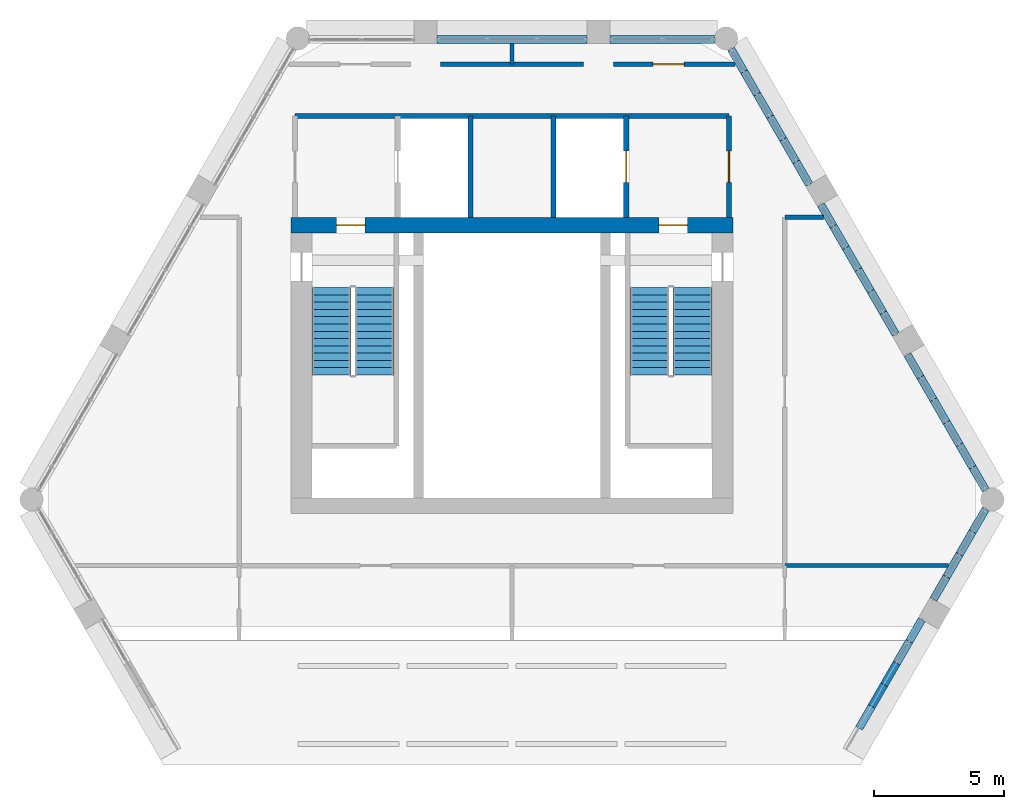
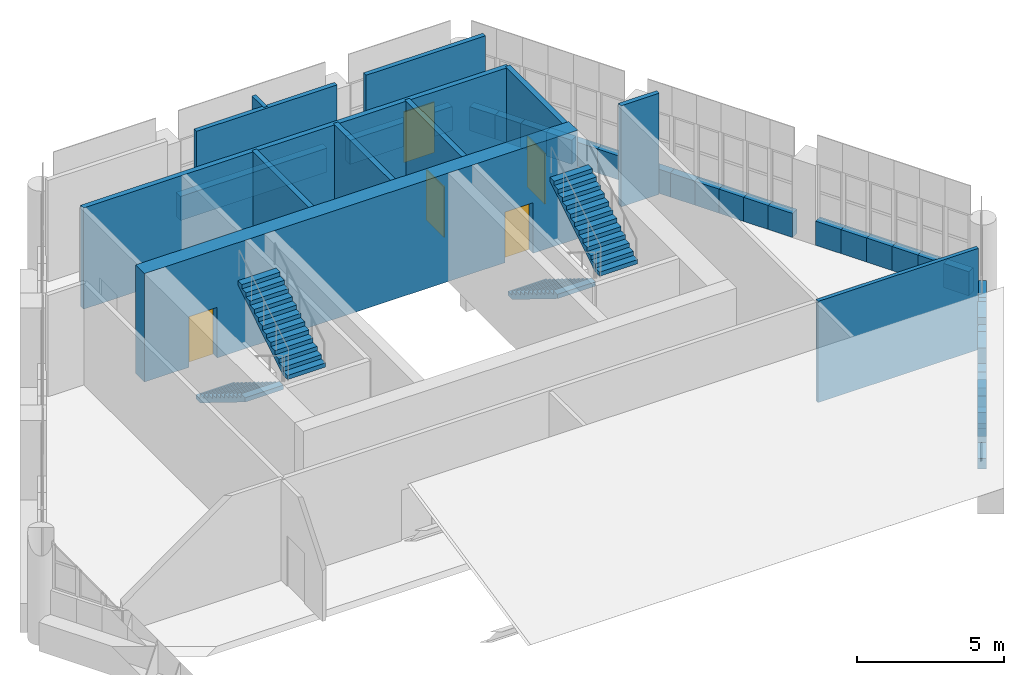
# One storey, part 19 of 23: 43 walls, 5 doors, 4 stair flights, 5 openings, 2 elements without a shape of their own.
"""IFC4 building model written with IfcOpenShell, lengths in metres."""

from ifc_helpers import new_model, si_unit, direction, frame, frame_2d, origin, place, context, subcontext, project, spatial, polyline, rectangle, outline, extrude, material, layer, layer_set, type_object, element, fill, aggregate, save


model = new_model("IFC4")

# Units and contexts
model_context = context("Model", 3, precision=1e-05, world=origin(), true_north=direction((0.0, 1.0)))
body_context = subcontext(model_context, "Body", "Model", "MODEL_VIEW")
ifc_project = project(units=[si_unit("LENGTHUNIT", "METRE"), si_unit("AREAUNIT", "SQUARE_METRE"), si_unit("VOLUMEUNIT", "CUBIC_METRE"), si_unit("PLANEANGLEUNIT", "RADIAN"), si_unit("MASSUNIT", "GRAM", prefix="KILO")], contexts=[model_context])

# Site, building, storey
site_placement = place(None, origin())
site = spatial("IfcSite", under=ifc_project, at=site_placement, CompositionType="ELEMENT")
building_placement = place(site_placement, origin())
building = spatial("IfcBuilding", under=site, at=building_placement, Name="Ostrander Bayou Hotel Tower", CompositionType="ELEMENT")
storey_placement = place(building_placement, frame((0.0, 0.0, 279.5)))
storey = spatial("IfcBuildingStorey", under=building, at=storey_placement, Name="L69", CompositionType="ELEMENT", Elevation=279.5)

# Wall, openings, doors
ifc_material_1 = material(Name="Concrete f'c 60 MPa", Category="concrete")
ifc_layer_1 = layer(ifc_material_1, 0.60009765625)
ifc_layer_set_1 = layer_set([ifc_layer_1], Name="CW10 core wall 600 mm f'c 60 MPa")
wall_type_1 = type_object("IfcWallType", Name="CW10 core wall 600 mm f'c 60 MPa", PredefinedType="SHEAR", material=ifc_layer_set_1)
wall_1_placement = place(storey_placement, frame((-8.5, 9.39990234375, -0.300048828125), z_axis=(0.0, 0.0, 1.0), x_axis=(1.0, 0.0, 0.0)))
wall_1 = element("IfcWall", 1, at=wall_1_placement, inside=storey, type_object=wall_type_1, Name="CW10 L69 N", PredefinedType="SHEAR", context=body_context, shape_type="SweptSolid", body=[
    extrude(rectangle(XDim=17.0, YDim=0.60009765625, at=frame_2d((8.5, 0.0))), origin(), (0.0, 0.0, 1.0), 4.5),
])
opening_1_placement = place(wall_1_placement, frame((1.75, 0.0, 0.0)))
opening_1 = element("IfcOpeningElement", 2, at=opening_1_placement, cuts=wall_1, Name="Opening T69-001", PredefinedType="OPENING", context=body_context, shape_type="SweptSolid", body=[
    extrude(rectangle(XDim=1.10009765625, YDim=2.10009765625, at=frame_2d((0.550048828125, 1.050048828125))), frame((0.0, 0.300048828125, 0.0), z_axis=(0.0, -1.0, 0.0), x_axis=(1.0, 0.0, 0.0)), (0.0, 0.0, 1.0), 0.60009765625),
])
opening_2_placement = place(wall_1_placement, frame((14.14990234375, 0.0, 0.0)))
opening_2 = element("IfcOpeningElement", 3, at=opening_2_placement, cuts=wall_1, Name="Opening T69-003", PredefinedType="OPENING", context=body_context, shape_type="SweptSolid", body=[
    extrude(rectangle(XDim=1.10009765625, YDim=2.10009765625, at=frame_2d((0.550048828125, 1.050048828125))), frame((0.0, 0.300048828125, 0.0), z_axis=(0.0, -1.0, 0.0), x_axis=(1.0, 0.0, 0.0)), (0.0, 0.0, 1.0), 0.60009765625),
])
ifc_material_2 = material(Name="Timber door leaf", Category="wood")
door_type_1 = type_object("IfcDoorType", Name="D5 stair door 1100 x 2100 mm, 90 minute", OperationType="SINGLE_SWING_LEFT", PredefinedType="DOOR", material=ifc_material_2)
door_1_placement = place(opening_1_placement, origin())
door_1 = element("IfcDoor", 4, at=door_1_placement, inside=storey, type_object=door_type_1, Name="dr:L69:001", OperationType="SINGLE_SWING_LEFT", OverallHeight=2.10009765625, OverallWidth=1.10009765625, PredefinedType="DOOR", context=body_context, shape_type="SweptSolid", body=[
    extrude(rectangle(XDim=1.10009765625, YDim=2.10009765625, at=frame_2d((0.550048828125, 1.050048828125))), frame((0.0, 0.02490234375, 0.0), z_axis=(0.0, -1.0, 0.0), x_axis=(1.0, 0.0, 0.0)), (0.0, 0.0, 1.0), 0.050048828125),
])
fill(opening_1, door_1)
door_2_placement = place(opening_2_placement, origin())
door_2 = element("IfcDoor", 5, at=door_2_placement, inside=storey, type_object=door_type_1, Name="dr:L69:003", OperationType="SINGLE_SWING_RIGHT", OverallHeight=2.10009765625, OverallWidth=1.10009765625, PredefinedType="DOOR", context=body_context, shape_type="SweptSolid", body=[
    extrude(rectangle(XDim=1.10009765625, YDim=2.10009765625, at=frame_2d((0.550048828125, 1.050048828125))), frame((0.0, 0.02490234375, 0.0), z_axis=(0.0, -1.0, 0.0), x_axis=(1.0, 0.0, 0.0)), (0.0, 0.0, 1.0), 0.050048828125),
])
fill(opening_2, door_2)

# Walls
ifc_material_3 = material(Name="Reconstituted stone on masonry backing", Category="masonry")
ifc_layer_2 = layer(ifc_material_3, 0.300048828125)
ifc_layer_set_2 = layer_set([ifc_layer_2], Name="NW1 north stone wall 300 mm")
wall_type_2 = type_object("IfcWallType", Name="NW1 north stone wall 300 mm", PredefinedType="SOLIDWALL", material=ifc_layer_set_2)
wall_2_placement = place(storey_placement, frame((7.7958984375, 16.550048828125, 0.0), z_axis=(0.0, 0.0, 1.0), x_axis=(-1.0, 0.0, 0.0)))
element("IfcWall", 6, at=wall_2_placement, inside=storey, type_object=wall_type_2, Name="NW1 L69 N-1 sill", PredefinedType="SOLIDWALL", context=body_context, shape_type="SweptSolid", body=[
    extrude(rectangle(XDim=4.0166015625, YDim=0.300048828125, at=frame_2d((2.00830078125, 0.0))), origin(), (0.0, 0.0, 1.0), 1.0),
])
wall_3_placement = place(storey_placement, frame((2.87939453125, 16.550048828125, 0.0), z_axis=(0.0, 0.0, 1.0), x_axis=(-1.0, 0.0, 0.0)))
element("IfcWall", 7, at=wall_3_placement, inside=storey, type_object=wall_type_2, Name="NW1 L69 N-2 sill", PredefinedType="SOLIDWALL", context=body_context, shape_type="SweptSolid", body=[
    extrude(rectangle(XDim=5.7587890625, YDim=0.300048828125, at=frame_2d((2.87939453125, 0.0))), origin(), (0.0, 0.0, 1.0), 1.0),
])
wall_4_placement = place(storey_placement, frame((13.3603515625, -9.958984375, 0.0), z_axis=(0.0, 0.0, 1.0), x_axis=(0.500058339205, 0.865991719008, 0.0)))
element("IfcWall", 8, at=wall_4_placement, inside=storey, type_object=wall_type_2, Name="NW1 L69 SE-2-2 sill", PredefinedType="SOLIDWALL", context=body_context, shape_type="SweptSolid", body=[
    extrude(rectangle(XDim=0.96484375, YDim=0.300048828125, at=frame_2d((0.482421875, 0.0))), origin(), (0.0, 0.0, 1.0), 0.425048828125),
])
wall_5_placement = place(storey_placement, frame((13.8427734375, -9.12353515625, 0.0), z_axis=(0.0, 0.0, 1.0), x_axis=(0.500058339205, 0.865991719008, 0.0)))
element("IfcWall", 9, at=wall_5_placement, inside=storey, type_object=wall_type_2, Name="NW1 L69 SE-2-3 sill", PredefinedType="SOLIDWALL", context=body_context, shape_type="SweptSolid", body=[
    extrude(rectangle(XDim=0.96484375, YDim=0.300048828125, at=frame_2d((0.482421875, 0.0))), origin(), (0.0, 0.0, 1.0), 1.0),
])
wall_6_placement = place(storey_placement, frame((13.8427734375, -9.12353515625, 1.0), z_axis=(0.0, 0.0, 1.0), x_axis=(0.500058339205, 0.865991719008, 0.0)))
element("IfcWall", 10, at=wall_6_placement, inside=storey, type_object=wall_type_2, Name="NW1 L69 SE-2-3 infill", PredefinedType="SOLIDWALL", context=body_context, shape_type="SweptSolid", body=[
    extrude(rectangle(XDim=0.96484375, YDim=0.300048828125, at=frame_2d((0.482421875, 0.0))), origin(), (0.0, 0.0, 1.0), 0.2119140625),
])
wall_7_placement = place(storey_placement, frame((14.3251953125, -8.2880859375, 0.0), z_axis=(0.0, 0.0, 1.0), x_axis=(0.499948769917, 0.866054979466, 0.0)))
element("IfcWall", 11, at=wall_7_placement, inside=storey, type_object=wall_type_2, Name="NW1 L69 SE-2-4 sill", PredefinedType="SOLIDWALL", context=body_context, shape_type="SweptSolid", body=[
    extrude(rectangle(XDim=0.96484375, YDim=0.300048828125, at=frame_2d((0.482421875, 0.0))), origin(), (0.0, 0.0, 1.0), 1.0),
])
wall_8_placement = place(storey_placement, frame((14.3251953125, -8.2880859375, 1.0), z_axis=(0.0, 0.0, 1.0), x_axis=(0.499948769917, 0.866054979466, 0.0)))
element("IfcWall", 12, at=wall_8_placement, inside=storey, type_object=wall_type_2, Name="NW1 L69 SE-2-4 infill", PredefinedType="SOLIDWALL", context=body_context, shape_type="SweptSolid", body=[
    extrude(rectangle(XDim=0.96484375, YDim=0.300048828125, at=frame_2d((0.482421875, 0.0))), origin(), (0.0, 0.0, 1.0), 0.9990234375),
])
for number, where, z_axis, x_axis, name in (
    (13, (14.8076171875, -7.452392578125, 0.0), (0.0, 0.0, 1.0), (0.500058339205, 0.865991719008, 0.0), "NW1 L69 SE-2-5 sill"),
    (14, (15.2900390625, -6.616943359375, 0.0), (0.0, 0.0, 1.0), (0.500058339205, 0.865991719008, 0.0), "NW1 L69 SE-2-6 sill"),
):
    element("IfcWall", number, at=place(storey_placement, frame(where, z_axis=z_axis, x_axis=x_axis)), inside=storey, type_object=wall_type_2, Name=name, PredefinedType="SOLIDWALL", context=body_context, shape_type="SweptSolid", body=[
        extrude(rectangle(XDim=0.96484375, YDim=0.300048828125, at=frame_2d((0.482421875, 0.0))), origin(), (0.0, 0.0, 1.0), 1.0),
    ])
wall_9_placement = place(storey_placement, frame((15.2900390625, -6.616943359375, 3.300048828125), z_axis=(0.0, 0.0, 1.0), x_axis=(0.500058339205, 0.865991719008, 0.0)))
element("IfcWall", 15, at=wall_9_placement, inside=storey, type_object=wall_type_2, Name="NW1 L69 SE-2-6 ring", PredefinedType="SOLIDWALL", context=body_context, shape_type="SweptSolid", body=[
    extrude(rectangle(XDim=0.96484375, YDim=0.300048828125, at=frame_2d((0.482421875, 0.0))), origin(), (0.0, 0.0, 1.0), 0.27294921875),
])
wall_10_placement = place(storey_placement, frame((16.222412109375, -5.001953125, 0.0), z_axis=(0.0, 0.0, 1.0), x_axis=(0.500115484592, 0.865958718457, 0.0)))
element("IfcWall", 16, at=wall_10_placement, inside=storey, type_object=wall_type_2, Name="NW1 L69 SE-3-1 sill", PredefinedType="SOLIDWALL", context=body_context, shape_type="SweptSolid", body=[
    extrude(rectangle(XDim=1.003662109375, YDim=0.300048828125, at=frame_2d((0.501953125, 0.0))), origin(), (0.0, 0.0, 1.0), 1.0),
])
wall_11_placement = place(storey_placement, frame((16.724365234375, -4.1328125, 0.0), z_axis=(0.0, 0.0, 1.0), x_axis=(0.499904868165, 0.866080321209, 0.0)))
element("IfcWall", 17, at=wall_11_placement, inside=storey, type_object=wall_type_2, Name="NW1 L69 SE-3-2 sill", PredefinedType="SOLIDWALL", context=body_context, shape_type="SweptSolid", body=[
    extrude(rectangle(XDim=1.004150390625, YDim=0.300048828125, at=frame_2d((0.501953125, 0.0))), origin(), (0.0, 0.0, 1.0), 1.0),
])
wall_12_placement = place(storey_placement, frame((17.226318359375, -3.26318359375, 0.0), z_axis=(0.0, 0.0, 1.0), x_axis=(0.499933044277, 0.866064057238, 0.0)))
element("IfcWall", 18, at=wall_12_placement, inside=storey, type_object=wall_type_2, Name="NW1 L69 SE-3-3 sill", PredefinedType="SOLIDWALL", context=body_context, shape_type="SweptSolid", body=[
    extrude(rectangle(XDim=1.003662109375, YDim=0.300048828125, at=frame_2d((0.501953125, 0.0))), origin(), (0.0, 0.0, 1.0), 1.0),
])
wall_13_placement = place(storey_placement, frame((17.72802734375, -2.39404296875, 0.0), z_axis=(0.0, 0.0, 1.0), x_axis=(0.500010157896, 0.866019539041, 0.0)))
element("IfcWall", 19, at=wall_13_placement, inside=storey, type_object=wall_type_2, Name="NW1 L69 SE-3-4 sill", PredefinedType="SOLIDWALL", context=body_context, shape_type="SweptSolid", body=[
    extrude(rectangle(XDim=1.00390625, YDim=0.300048828125, at=frame_2d((0.501953125, 0.0))), origin(), (0.0, 0.0, 1.0), 1.0),
])
for number, where, z_axis, x_axis, name in (
    (20, (18.22998046875, -0.788330078125, 0.0), (0.0, 0.0, 1.0), (-0.499961250474, 0.866047774678, 0.0), "NW1 L69 NE-1-1 sill"),
    (21, (17.728515625, 0.080322265625, 0.0), (0.0, 0.0, 1.0), (-0.499961250474, 0.866047774678, 0.0), "NW1 L69 NE-1-2 sill"),
    (22, (17.22705078125, 0.948974609375, 0.0), (0.0, 0.0, 1.0), (-0.499961250474, 0.866047774678, 0.0), "NW1 L69 NE-1-3 sill"),
    (23, (16.7255859375, 1.817626953125, 0.0), (0.0, 0.0, 1.0), (-0.499961250474, 0.866047774678, 0.0), "NW1 L69 NE-1-4 sill"),
):
    element("IfcWall", number, at=place(storey_placement, frame(where, z_axis=z_axis, x_axis=x_axis)), inside=storey, type_object=wall_type_2, Name=name, PredefinedType="SOLIDWALL", context=body_context, shape_type="SweptSolid", body=[
        extrude(rectangle(XDim=1.0029296875, YDim=0.300048828125, at=frame_2d((0.50146484375, 0.0))), origin(), (0.0, 0.0, 1.0), 1.0),
    ])
wall_14_placement = place(storey_placement, frame((16.22412109375, 2.686279296875, 0.0), z_axis=(0.0, 0.0, 1.0), x_axis=(-0.500143783026, 0.865942374699, 0.0)))
element("IfcWall", 24, at=wall_14_placement, inside=storey, type_object=wall_type_2, Name="NW1 L69 NE-1-5 sill", PredefinedType="SOLIDWALL", context=body_context, shape_type="SweptSolid", body=[
    extrude(rectangle(XDim=1.003173828125, YDim=0.300048828125, at=frame_2d((0.50146484375, 0.0))), origin(), (0.0, 0.0, 1.0), 1.0),
])
wall_15_placement = place(storey_placement, frame((15.722412109375, 3.554931640625, 0.0), z_axis=(0.0, 0.0, 1.0), x_axis=(-0.499961250474, 0.866047774678, 0.0)))
element("IfcWall", 25, at=wall_15_placement, inside=storey, type_object=wall_type_2, Name="NW1 L69 NE-1-6 sill", PredefinedType="SOLIDWALL", context=body_context, shape_type="SweptSolid", body=[
    extrude(rectangle(XDim=1.0029296875, YDim=0.300048828125, at=frame_2d((0.50146484375, 0.0))), origin(), (0.0, 0.0, 1.0), 1.0),
])
wall_16_placement = place(storey_placement, frame((14.77099609375, 5.203125, 0.0), z_axis=(0.0, 0.0, 1.0), x_axis=(-0.500133489192, 0.865948320045, 0.0)))
element("IfcWall", 26, at=wall_16_placement, inside=storey, type_object=wall_type_2, Name="NW1 L69 NE-2-1 sill", PredefinedType="SOLIDWALL", context=body_context, shape_type="SweptSolid", body=[
    extrude(rectangle(XDim=0.959716796875, YDim=0.300048828125, at=frame_2d((0.47998046875, 0.0))), origin(), (0.0, 0.0, 1.0), 1.0),
])
wall_17_placement = place(storey_placement, frame((14.291015625, 6.0341796875, 0.0), z_axis=(0.0, 0.0, 1.0), x_axis=(-0.500023335103, 0.866011930837, 0.0)))
element("IfcWall", 27, at=wall_17_placement, inside=storey, type_object=wall_type_2, Name="NW1 L69 NE-2-2 sill", PredefinedType="SOLIDWALL", context=body_context, shape_type="SweptSolid", body=[
    extrude(rectangle(XDim=0.9599609375, YDim=0.300048828125, at=frame_2d((0.47998046875, 0.0))), origin(), (0.0, 0.0, 1.0), 1.0),
])
wall_18_placement = place(storey_placement, frame((13.81103515625, 6.865478515625, 0.0), z_axis=(0.0, 0.0, 1.0), x_axis=(-0.499832553123, 0.866122057702, 0.0)))
element("IfcWall", 28, at=wall_18_placement, inside=storey, type_object=wall_type_2, Name="NW1 L69 NE-2-3 sill", PredefinedType="SOLIDWALL", context=body_context, shape_type="SweptSolid", body=[
    extrude(rectangle(XDim=0.959716796875, YDim=0.300048828125, at=frame_2d((0.47998046875, 0.0))), origin(), (0.0, 0.0, 1.0), 1.0),
])
wall_19_placement = place(storey_placement, frame((13.331298828125, 7.69677734375, 0.0), z_axis=(0.0, 0.0, 1.0), x_axis=(-0.500023335103, 0.866011930837, 0.0)))
element("IfcWall", 29, at=wall_19_placement, inside=storey, type_object=wall_type_2, Name="NW1 L69 NE-2-4 sill", PredefinedType="SOLIDWALL", context=body_context, shape_type="SweptSolid", body=[
    extrude(rectangle(XDim=0.9599609375, YDim=0.300048828125, at=frame_2d((0.47998046875, 0.0))), origin(), (0.0, 0.0, 1.0), 1.0),
])
for number, where, z_axis, x_axis, name in (
    (30, (12.851318359375, 8.528076171875, 0.0), (0.0, 0.0, 1.0), (-0.500133489192, 0.865948320045, 0.0), "NW1 L69 NE-2-5 sill"),
    (31, (12.371337890625, 9.359130859375, 0.0), (0.0, 0.0, 1.0), (-0.499832553123, 0.866122057702, 0.0), "NW1 L69 NE-2-6 sill"),
):
    element("IfcWall", number, at=place(storey_placement, frame(where, z_axis=z_axis, x_axis=x_axis)), inside=storey, type_object=wall_type_2, Name=name, PredefinedType="SOLIDWALL", context=body_context, shape_type="SweptSolid", body=[
        extrude(rectangle(XDim=0.959716796875, YDim=0.300048828125, at=frame_2d((0.47998046875, 0.0))), origin(), (0.0, 0.0, 1.0), 1.0),
    ])
for number, where, z_axis, x_axis, name in (
    (32, (11.44140625, 10.9697265625, 0.0), (0.0, 0.0, 1.0), (-0.499855875421, 0.866108598161, 0.0), "NW1 L69 NE-3-1 sill"),
    (33, (10.93994140625, 11.838623046875, 0.0), (0.0, 0.0, 1.0), (-0.500143783026, 0.865942374699, 0.0), "NW1 L69 NE-3-2 sill"),
    (34, (10.438232421875, 12.707275390625, 0.0), (0.0, 0.0, 1.0), (-0.499855875421, 0.866108598161, 0.0), "NW1 L69 NE-3-3 sill"),
):
    element("IfcWall", number, at=place(storey_placement, frame(where, z_axis=z_axis, x_axis=x_axis)), inside=storey, type_object=wall_type_2, Name=name, PredefinedType="SOLIDWALL", context=body_context, shape_type="SweptSolid", body=[
        extrude(rectangle(XDim=1.003173828125, YDim=0.300048828125, at=frame_2d((0.50146484375, 0.0))), origin(), (0.0, 0.0, 1.0), 1.0),
    ])
wall_20_placement = place(storey_placement, frame((9.936767578125, 13.576171875, 0.0), z_axis=(0.0, 0.0, 1.0), x_axis=(-0.499961250474, 0.866047774678, 0.0)))
element("IfcWall", 35, at=wall_20_placement, inside=storey, type_object=wall_type_2, Name="NW1 L69 NE-3-4 sill", PredefinedType="SOLIDWALL", context=body_context, shape_type="SweptSolid", body=[
    extrude(rectangle(XDim=1.0029296875, YDim=0.300048828125, at=frame_2d((0.50146484375, 0.0))), origin(), (0.0, 0.0, 1.0), 1.0),
])
wall_21_placement = place(storey_placement, frame((9.435302734375, 14.44482421875, 0.0), z_axis=(0.0, 0.0, 1.0), x_axis=(-0.500038395149, 0.8660032352, 0.0)))
element("IfcWall", 36, at=wall_21_placement, inside=storey, type_object=wall_type_2, Name="NW1 L69 NE-3-5 sill", PredefinedType="SOLIDWALL", context=body_context, shape_type="SweptSolid", body=[
    extrude(rectangle(XDim=1.00341796875, YDim=0.300048828125, at=frame_2d((0.501708984375, 0.0))), origin(), (0.0, 0.0, 1.0), 1.0),
])
wall_22_placement = place(storey_placement, frame((8.93359375, 15.313720703125, 0.0), z_axis=(0.0, 0.0, 1.0), x_axis=(-0.500143783026, 0.865942374699, 0.0)))
element("IfcWall", 37, at=wall_22_placement, inside=storey, type_object=wall_type_2, Name="NW1 L69 NE-3-6 sill", PredefinedType="SOLIDWALL", context=body_context, shape_type="SweptSolid", body=[
    extrude(rectangle(XDim=1.003173828125, YDim=0.300048828125, at=frame_2d((0.50146484375, 0.0))), origin(), (0.0, 0.0, 1.0), 1.0),
])
ifc_material_4 = material(Name="Gypsum board partition", Category="finish")
ifc_layer_3 = layer(ifc_material_4, 0.175048828125)
ifc_layer_set_3 = layer_set([ifc_layer_3], Name="PT4 corridor wall 175 mm, 1 hour")
wall_type_3 = type_object("IfcWallType", Name="PT4 corridor wall 175 mm, 1 hour", PredefinedType="PARTITIONING", material=ifc_layer_set_3)
wall_23_placement = place(storey_placement, frame((10.5, 9.699951171875, 0.0), z_axis=(0.0, 0.0, 1.0), x_axis=(1.0, 0.0, 0.0)))
element("IfcWall", 38, at=wall_23_placement, inside=storey, type_object=wall_type_3, Name="sw:L69:003", PredefinedType="PARTITIONING", context=body_context, shape_type="SweptSolid", body=[
    extrude(rectangle(XDim=1.496337890625, YDim=0.175048828125, at=frame_2d((0.748046875, 0.0))), origin(), (0.0, 0.0, 1.0), 4.199951171875),
])
wall_24_placement = place(storey_placement, frame((-2.755859375, 15.60009765625, 0.0), z_axis=(0.0, 0.0, 1.0), x_axis=(1.0, 0.0, 0.0)))
element("IfcWall", 39, at=wall_24_placement, inside=storey, type_object=wall_type_3, Name="sw:L69:005", PredefinedType="PARTITIONING", context=body_context, shape_type="SweptSolid", body=[
    extrude(rectangle(XDim=5.51171875, YDim=0.175048828125, at=frame_2d((2.755859375, 0.0))), origin(), (0.0, 0.0, 1.0), 4.199951171875),
])

# Wall, opening, door
wall_25_placement = place(storey_placement, frame((3.903076171875, 15.60009765625, 0.0), z_axis=(0.0, 0.0, 1.0), x_axis=(1.0, 0.0, 0.0)))
wall_25 = element("IfcWall", 40, at=wall_25_placement, inside=storey, type_object=wall_type_3, Name="sw:L69:006", PredefinedType="PARTITIONING", context=body_context, shape_type="SweptSolid", body=[
    extrude(rectangle(XDim=4.68701171875, YDim=0.175048828125, at=frame_2d((2.343505859375, 0.0))), origin(), (0.0, 0.0, 1.0), 4.199951171875),
])
opening_3_placement = place(wall_25_placement, frame((1.523193359375, 0.0, 0.0)))
opening_3 = element("IfcOpeningElement", 41, at=opening_3_placement, cuts=wall_25, Name="Opening T69-207", PredefinedType="OPENING", context=body_context, shape_type="SweptSolid", body=[
    extrude(rectangle(XDim=1.199951171875, YDim=2.10009765625, at=frame_2d((0.60009765625, 1.050048828125))), frame((0.0, 0.08740234375, 0.0), z_axis=(0.0, -1.0, 0.0), x_axis=(1.0, 0.0, 0.0)), (0.0, 0.0, 1.0), 0.175048828125),
])
ifc_material_5 = material(Name="Timber door leaf", Category="wood")
door_type_2 = type_object("IfcDoorType", Name="D10 plant room door 1200 x 2100 mm, 1 hour", OperationType="SINGLE_SWING_LEFT", PredefinedType="DOOR", material=ifc_material_5)
door_3_placement = place(opening_3_placement, origin())
door_3 = element("IfcDoor", 42, at=door_3_placement, inside=storey, type_object=door_type_2, Name="dr:L69:207", OperationType="SINGLE_SWING_LEFT", OverallHeight=2.10009765625, OverallWidth=1.199951171875, PredefinedType="DOOR", context=body_context, shape_type="SweptSolid", body=[
    extrude(rectangle(XDim=1.199951171875, YDim=2.10009765625, at=frame_2d((0.60009765625, 1.050048828125))), frame((0.0, 0.02490234375, 0.0), z_axis=(0.0, -1.0, 0.0), x_axis=(1.0, 0.0, 0.0)), (0.0, 0.0, 1.0), 0.050048828125),
])
fill(opening_3, door_3)

# Wall
ifc_material_6 = material(Name="Masonry block", Category="masonry")
ifc_layer_4 = layer(ifc_material_6, 0.199951171875)
ifc_layer_set_4 = layer_set([ifc_layer_4], Name="PT5 stair enclosure wall 200 mm masonry, 2 hour")
wall_type_4 = type_object("IfcWallType", Name="PT5 stair enclosure wall 200 mm masonry, 2 hour", PredefinedType="PARTITIONING", material=ifc_layer_set_4)
wall_26_placement = place(storey_placement, frame((-8.35009765625, 13.60009765625, 0.0), z_axis=(0.0, 0.0, 1.0), x_axis=(1.0, 0.0, 0.0)))
element("IfcWall", 43, at=wall_26_placement, inside=storey, type_object=wall_type_4, Name="cs:L69:005", PredefinedType="PARTITIONING", context=body_context, shape_type="SweptSolid", body=[
    extrude(rectangle(XDim=16.7001953125, YDim=0.199951171875, at=frame_2d((8.35009765625, 0.0))), origin(), (0.0, 0.0, 1.0), 4.199951171875),
])

# Wall, opening, door
wall_27_placement = place(storey_placement, frame((8.35009765625, 9.699951171875, 0.0), z_axis=(0.0, 0.0, 1.0), x_axis=(0.0, 1.0, 0.0)))
wall_27 = element("IfcWall", 44, at=wall_27_placement, inside=storey, type_object=wall_type_4, Name="cs:L69:007", PredefinedType="PARTITIONING", context=body_context, shape_type="SweptSolid", body=[
    extrude(rectangle(XDim=3.900146484375, YDim=0.199951171875, at=frame_2d((1.9501953125, 0.0))), origin(), (0.0, 0.0, 1.0), 4.199951171875),
])
opening_4_placement = place(wall_27_placement, frame((1.35009765625, 0.0, 0.0)))
opening_4 = element("IfcOpeningElement", 45, at=opening_4_placement, cuts=wall_27, Name="Opening T69-008", PredefinedType="OPENING", context=body_context, shape_type="SweptSolid", body=[
    extrude(rectangle(XDim=1.199951171875, YDim=2.10009765625, at=frame_2d((0.60009765625, 1.050048828125))), frame((0.0, 0.10009765625, 0.0), z_axis=(0.0, -1.0, 0.0), x_axis=(1.0, 0.0, 0.0)), (0.0, 0.0, 1.0), 0.199951171875),
])
ifc_material_7 = material(Name="Timber door leaf", Category="wood")
door_type_3 = type_object("IfcDoorType", Name="D7 lobby door 1200 x 2100 mm, 1 hour", OperationType="SINGLE_SWING_LEFT", PredefinedType="DOOR", material=ifc_material_7)
door_4_placement = place(opening_4_placement, origin())
door_4 = element("IfcDoor", 46, at=door_4_placement, inside=storey, type_object=door_type_3, Name="dr:L69:008", OperationType="SINGLE_SWING_LEFT", OverallHeight=2.10009765625, OverallWidth=1.199951171875, PredefinedType="DOOR", context=body_context, shape_type="SweptSolid", body=[
    extrude(rectangle(XDim=1.199951171875, YDim=2.10009765625, at=frame_2d((0.60009765625, 1.050048828125))), frame((0.0, 0.02490234375, 0.0), z_axis=(0.0, -1.0, 0.0), x_axis=(1.0, 0.0, 0.0)), (0.0, 0.0, 1.0), 0.050048828125),
])
fill(opening_4, door_4)

wall_28_placement = place(storey_placement, frame((4.39990234375, 9.699951171875, 0.0), z_axis=(0.0, 0.0, 1.0), x_axis=(0.0, 1.0, 0.0)))
wall_28 = element("IfcWall", 47, at=wall_28_placement, inside=storey, type_object=wall_type_4, Name="cs:L69:009", PredefinedType="PARTITIONING", context=body_context, shape_type="SweptSolid", body=[
    extrude(rectangle(XDim=3.900146484375, YDim=0.199951171875, at=frame_2d((1.9501953125, 0.0))), origin(), (0.0, 0.0, 1.0), 4.199951171875),
])
opening_5_placement = place(wall_28_placement, frame((1.35009765625, 0.0, 0.0)))
opening_5 = element("IfcOpeningElement", 48, at=opening_5_placement, cuts=wall_28, Name="Opening T69-007", PredefinedType="OPENING", context=body_context, shape_type="SweptSolid", body=[
    extrude(rectangle(XDim=1.199951171875, YDim=2.10009765625, at=frame_2d((0.60009765625, 1.050048828125))), frame((0.0, 0.10009765625, 0.0), z_axis=(0.0, -1.0, 0.0), x_axis=(1.0, 0.0, 0.0)), (0.0, 0.0, 1.0), 0.199951171875),
])
ifc_material_8 = material(Name="Stainless steel sliding door", Category="steel")
door_type_4 = type_object("IfcDoorType", Name="LD1 lift landing door 1200 x 2100 mm", OperationType="SINGLE_SWING_LEFT", PredefinedType="DOOR", material=ifc_material_8)
door_5_placement = place(opening_5_placement, origin())
door_5 = element("IfcDoor", 49, at=door_5_placement, inside=storey, type_object=door_type_4, Name="dr:L69:007", OperationType="SLIDING_TO_LEFT", OverallHeight=2.10009765625, OverallWidth=1.199951171875, PredefinedType="DOOR", context=body_context, shape_type="SweptSolid", body=[
    extrude(rectangle(XDim=1.199951171875, YDim=2.10009765625, at=frame_2d((0.60009765625, 1.050048828125))), frame((0.0, 0.02490234375, 0.0), z_axis=(0.0, -1.0, 0.0), x_axis=(1.0, 0.0, 0.0)), (0.0, 0.0, 1.0), 0.050048828125),
])
fill(opening_5, door_5)

# Walls
ifc_material_9 = material(Name="Masonry block", Category="masonry")
ifc_layer_5 = layer(ifc_material_9, 0.199951171875)
ifc_layer_set_5 = layer_set([ifc_layer_5], Name="PT6 lift shaft wall 200 mm masonry, 2 hour")
wall_type_5 = type_object("IfcWallType", Name="PT6 lift shaft wall 200 mm masonry, 2 hour", PredefinedType="PARTITIONING", material=ifc_layer_set_5)
for number, where, z_axis, x_axis, name in (
    (50, (-1.60009765625, 9.699951171875, 0.0), (0.0, 0.0, 1.0), (0.0, 1.0, 0.0), "cs:L69:010"),
    (51, (1.60009765625, 9.699951171875, 0.0), (0.0, 0.0, 1.0), (0.0, 1.0, 0.0), "cs:L69:011"),
):
    element("IfcWall", number, at=place(storey_placement, frame(where, z_axis=z_axis, x_axis=x_axis)), inside=storey, type_object=wall_type_5, Name=name, PredefinedType="PARTITIONING", context=body_context, shape_type="SweptSolid", body=[
        extrude(rectangle(XDim=3.900146484375, YDim=0.199951171875, at=frame_2d((1.9501953125, 0.0))), origin(), (0.0, 0.0, 1.0), 4.199951171875),
    ])
ifc_material_10 = material(Name="Gypsum board partition", Category="finish")
ifc_layer_6 = layer(ifc_material_10, 0.14990234375)
ifc_layer_set_6 = layer_set([ifc_layer_6], Name="PT7 riser wall 150 mm, 2 hour")
wall_type_6 = type_object("IfcWallType", Name="PT7 riser wall 150 mm, 2 hour", PredefinedType="PARTITIONING", material=ifc_layer_set_6)
wall_29_placement = place(storey_placement, frame((10.5, -3.699951171875, 0.0), z_axis=(0.0, 0.0, 1.0), x_axis=(1.0, 0.0, 0.0)))
element("IfcWall", 52, at=wall_29_placement, inside=storey, type_object=wall_type_6, Name="sw:L69:010", PredefinedType="PARTITIONING", context=body_context, shape_type="SweptSolid", body=[
    extrude(rectangle(XDim=6.2958984375, YDim=0.14990234375, at=frame_2d((3.14794921875, 0.0))), origin(), (0.0, 0.0, 1.0), 4.199951171875),
])
wall_30_placement = place(storey_placement, frame((0.0, 15.60009765625, 0.0), z_axis=(0.0, 0.0, 1.0), x_axis=(0.0, 1.0, 0.0)))
element("IfcWall", 53, at=wall_30_placement, inside=storey, type_object=wall_type_6, Name="sw:L69:013", PredefinedType="PARTITIONING", context=body_context, shape_type="SweptSolid", body=[
    extrude(rectangle(XDim=0.794921875, YDim=0.14990234375, at=frame_2d((0.3974609375, 0.0))), origin(), (0.0, 0.0, 1.0), 4.199951171875),
])

# Stair, stair flights
ifc_material_11 = material(Name="Concrete f'c 45 MPa", Category="concrete")
stair_type = type_object("IfcStairType", Name="ST1 exit stair 1500 mm f'c 45 MPa", PredefinedType="HALF_TURN_STAIR", material=ifc_material_11)
stair_1_placement = place(storey_placement, origin())
stair_1 = element("IfcStair", 54, at=stair_1_placement, inside=storey, type_object=stair_type, Name="L69 exit stair A", PredefinedType="HALF_TURN_STAIR")
ifc_material_12 = material(Name="Concrete f'c 45 MPa", Category="concrete")
stair_flight_type = type_object("IfcStairFlightType", Name="SF1 stair flight 1500 mm f'c 45 MPa", PredefinedType="STRAIGHT", material=ifc_material_12)
stair_flight_1_placement = place(storey_placement, frame((-6.949951171875, 7.0, 0.0), z_axis=(0.0, 0.0, 1.0), x_axis=(0.0, -1.0, 0.0)))
stair_flight_1 = element("IfcStairFlight", 55, at=stair_flight_1_placement, type_object=stair_flight_type, Name="STA flight 1", NumberOfRisers=13, NumberOfTreads=12, PredefinedType="STRAIGHT", RiserHeight=0.173076923, TreadLength=0.28, context=body_context, shape_type="SweptSolid", body=[
    extrude(outline(polyline([(0.0, 0.0), (0.0, 0.173095703125), (0.280029296875, 0.173095703125), (0.280029296875, 0.34619140625), (0.56005859375, 0.34619140625), (0.56005859375, 0.519287109375), (0.840087890625, 0.519287109375), (0.840087890625, 0.6923828125), (1.1201171875, 0.6923828125), (1.1201171875, 0.865478515625), (1.39990234375, 0.865478515625), (1.39990234375, 1.03857421875), (1.679931640625, 1.03857421875), (1.679931640625, 1.21142578125), (1.9599609375, 1.21142578125), (1.9599609375, 1.384521484375), (2.239990234375, 1.384521484375), (2.239990234375, 1.5576171875), (2.52001953125, 1.5576171875), (2.52001953125, 1.730712890625), (2.800048828125, 1.730712890625), (2.800048828125, 1.90380859375), (3.080078125, 1.90380859375), (3.080078125, 2.076904296875), (3.360107421875, 2.076904296875), (3.360107421875, 2.25), (3.360107421875, 1.900634765625), (0.28515625, 0.0), (0.0, 0.0)])), frame((0.0, 0.75, 0.0), z_axis=(0.0, -1.0, 0.0), x_axis=(1.0, 0.0, 0.0)), (0.0, 0.0, 1.0), 1.5),
])
stair_flight_2_placement = place(storey_placement, frame((-5.300048828125, 3.639892578125, 2.25), z_axis=(0.0, 0.0, 1.0), x_axis=(0.0, 1.0, 0.0)))
stair_flight_2 = element("IfcStairFlight", 56, at=stair_flight_2_placement, type_object=stair_flight_type, Name="STA flight 2", NumberOfRisers=13, NumberOfTreads=12, PredefinedType="STRAIGHT", RiserHeight=0.173076923, TreadLength=0.28, context=body_context, shape_type="SweptSolid", body=[
    extrude(outline(polyline([(0.0, 0.0), (0.0, 0.173095703125), (0.280029296875, 0.173095703125), (0.280029296875, 0.34619140625), (0.56005859375, 0.34619140625), (0.56005859375, 0.519287109375), (0.840087890625, 0.519287109375), (0.840087890625, 0.6923828125), (1.1201171875, 0.6923828125), (1.1201171875, 0.865478515625), (1.39990234375, 0.865478515625), (1.39990234375, 1.03857421875), (1.679931640625, 1.03857421875), (1.679931640625, 1.21142578125), (1.9599609375, 1.21142578125), (1.9599609375, 1.384521484375), (2.239990234375, 1.384521484375), (2.239990234375, 1.5576171875), (2.52001953125, 1.5576171875), (2.52001953125, 1.730712890625), (2.800048828125, 1.730712890625), (2.800048828125, 1.90380859375), (3.080078125, 1.90380859375), (3.080078125, 2.076904296875), (3.360107421875, 2.076904296875), (3.360107421875, 2.25), (3.360107421875, 1.900634765625), (0.28515625, 0.0), (0.0, 0.0)])), frame((0.0, 0.75, 0.0), z_axis=(0.0, -1.0, 0.0), x_axis=(1.0, 0.0, 0.0)), (0.0, 0.0, 1.0), 1.5),
])
aggregate(stair_1, [stair_flight_1, stair_flight_2])

stair_2_placement = place(storey_placement, origin())
stair_2 = element("IfcStair", 57, at=stair_2_placement, inside=storey, type_object=stair_type, Name="L69 exit stair B", PredefinedType="HALF_TURN_STAIR")
stair_flight_3_placement = place(storey_placement, frame((5.300048828125, 7.0, 0.0), z_axis=(0.0, 0.0, 1.0), x_axis=(0.0, -1.0, 0.0)))
stair_flight_3 = element("IfcStairFlight", 58, at=stair_flight_3_placement, type_object=stair_flight_type, Name="STB flight 1", NumberOfRisers=13, NumberOfTreads=12, PredefinedType="STRAIGHT", RiserHeight=0.173076923, TreadLength=0.28, context=body_context, shape_type="SweptSolid", body=[
    extrude(outline(polyline([(0.0, 0.0), (0.0, 0.173095703125), (0.280029296875, 0.173095703125), (0.280029296875, 0.34619140625), (0.56005859375, 0.34619140625), (0.56005859375, 0.519287109375), (0.840087890625, 0.519287109375), (0.840087890625, 0.6923828125), (1.1201171875, 0.6923828125), (1.1201171875, 0.865478515625), (1.39990234375, 0.865478515625), (1.39990234375, 1.03857421875), (1.679931640625, 1.03857421875), (1.679931640625, 1.21142578125), (1.9599609375, 1.21142578125), (1.9599609375, 1.384521484375), (2.239990234375, 1.384521484375), (2.239990234375, 1.5576171875), (2.52001953125, 1.5576171875), (2.52001953125, 1.730712890625), (2.800048828125, 1.730712890625), (2.800048828125, 1.90380859375), (3.080078125, 1.90380859375), (3.080078125, 2.076904296875), (3.360107421875, 2.076904296875), (3.360107421875, 2.25), (3.360107421875, 1.900634765625), (0.28515625, 0.0), (0.0, 0.0)])), frame((0.0, 0.75, 0.0), z_axis=(0.0, -1.0, 0.0), x_axis=(1.0, 0.0, 0.0)), (0.0, 0.0, 1.0), 1.5),
])
stair_flight_4_placement = place(storey_placement, frame((6.949951171875, 3.639892578125, 2.25), z_axis=(0.0, 0.0, 1.0), x_axis=(0.0, 1.0, 0.0)))
stair_flight_4 = element("IfcStairFlight", 59, at=stair_flight_4_placement, type_object=stair_flight_type, Name="STB flight 2", NumberOfRisers=13, NumberOfTreads=12, PredefinedType="STRAIGHT", RiserHeight=0.173076923, TreadLength=0.28, context=body_context, shape_type="SweptSolid", body=[
    extrude(outline(polyline([(0.0, 0.0), (0.0, 0.173095703125), (0.280029296875, 0.173095703125), (0.280029296875, 0.34619140625), (0.56005859375, 0.34619140625), (0.56005859375, 0.519287109375), (0.840087890625, 0.519287109375), (0.840087890625, 0.6923828125), (1.1201171875, 0.6923828125), (1.1201171875, 0.865478515625), (1.39990234375, 0.865478515625), (1.39990234375, 1.03857421875), (1.679931640625, 1.03857421875), (1.679931640625, 1.21142578125), (1.9599609375, 1.21142578125), (1.9599609375, 1.384521484375), (2.239990234375, 1.384521484375), (2.239990234375, 1.5576171875), (2.52001953125, 1.5576171875), (2.52001953125, 1.730712890625), (2.800048828125, 1.730712890625), (2.800048828125, 1.90380859375), (3.080078125, 1.90380859375), (3.080078125, 2.076904296875), (3.360107421875, 2.076904296875), (3.360107421875, 2.25), (3.360107421875, 1.900634765625), (0.28515625, 0.0), (0.0, 0.0)])), frame((0.0, 0.75, 0.0), z_axis=(0.0, -1.0, 0.0), x_axis=(1.0, 0.0, 0.0)), (0.0, 0.0, 1.0), 1.5),
])
aggregate(stair_2, [stair_flight_3, stair_flight_4])

save(model, "model.ifc")
